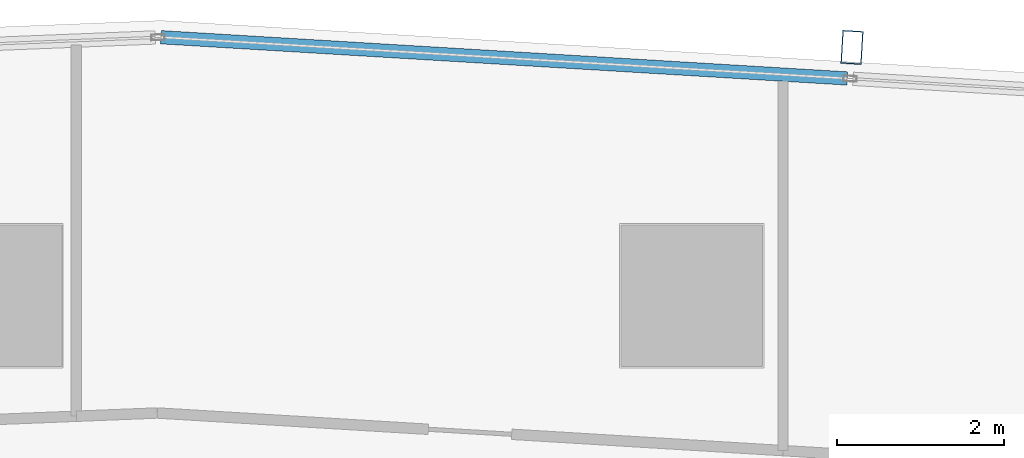
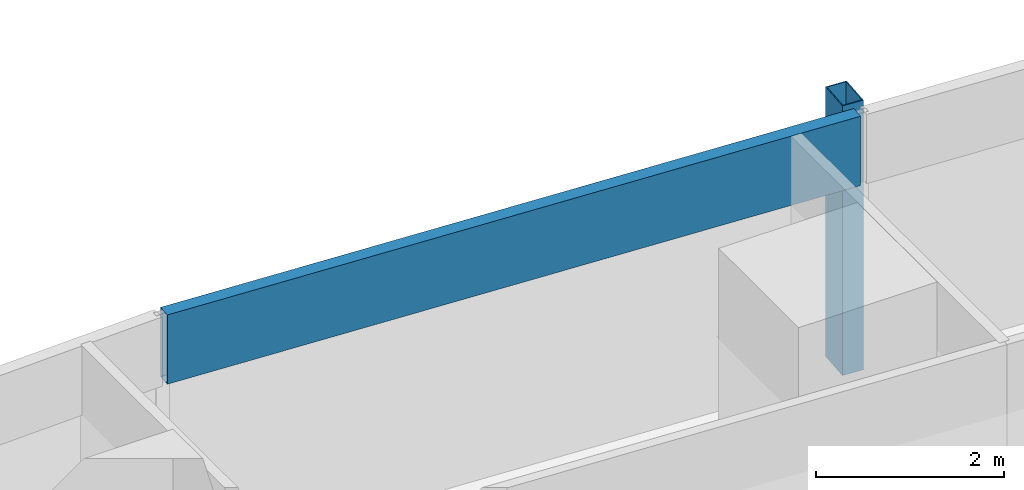
# One storey, part 22 of 40: 2 members, 1 element without a shape of its own.
"""IFC4 building model written with IfcOpenShell, lengths in metres."""

from ifc_helpers import new_model, si_unit, direction, frame, origin, origin_2d, place, context, subcontext, project, spatial, hollow_rectangle, extrude, material, material_profile, profile_set, type_object, element, aggregate, save


model = new_model("IFC4")

# Units and contexts
model_context = context("Model", 3, precision=1e-05, world=origin(), true_north=direction((0.0, 1.0)))
body_context = subcontext(model_context, "Body", "Model", "MODEL_VIEW")
ifc_project = project(units=[si_unit("LENGTHUNIT", "METRE"), si_unit("AREAUNIT", "SQUARE_METRE"), si_unit("VOLUMEUNIT", "CUBIC_METRE"), si_unit("PLANEANGLEUNIT", "RADIAN"), si_unit("MASSUNIT", "GRAM", prefix="KILO")], contexts=[model_context])

# Site, building, storey
site_placement = place(None, origin())
site = spatial("IfcSite", under=ifc_project, at=site_placement, CompositionType="ELEMENT")
building_placement = place(site_placement, origin())
building = spatial("IfcBuilding", under=site, at=building_placement, Name="Rekha Terrace Tower", CompositionType="ELEMENT")
storey_placement = place(building_placement, frame((0.0, 0.0, 106.550048828125)))
storey = spatial("IfcBuildingStorey", under=building, at=storey_placement, Name="L26", CompositionType="ELEMENT", Elevation=106.550048828125)

# Curtain wall, members
ifc_material_1 = material(Name="Aluminium framing", Category="aluminium")
curtain_wall_type = type_object("IfcCurtainWallType", Name="CW3 north unitised glazing", PredefinedType="USERDEFINED", material=ifc_material_1)
curtain_wall_placement = place(storey_placement, origin())
curtain_wall = element("IfcCurtainWall", 1, at=curtain_wall_placement, inside=storey, type_object=curtain_wall_type, Name="CW3 unitised curtain wall", ObjectType="UNITISED CURTAIN WALL", PredefinedType="USERDEFINED")
ifc_material_2 = material(Name="Steel S355 with fluorocarbon finish", Category="steel")
ifc_material_profile_1 = material_profile(ifc_material_2, hollow_rectangle(XDim=0.25, YDim=0.39990234375, WallThickness=0.012451171875, at=origin_2d()), Name="RHS400x250x12.5")
ifc_profile_set_1 = profile_set([ifc_material_profile_1], Name="Steel S355 with fluorocarbon finish")
member_type_1 = type_object("IfcMemberType", Name="BL1 facade blade RHS 400 x 250", PredefinedType="USERDEFINED", material=ifc_profile_set_1)
member_1_placement = place(storey_placement, frame((52.322265625, 61.777587890625, 0.0), z_axis=(0.0, 0.0, 1.0), x_axis=(-0.998199123409, 0.059987582268, 0.0)))
member_1 = element("IfcMember", 2, at=member_1_placement, type_object=member_type_1, Name="Facade blade", ObjectType="FACADE BLADE", PredefinedType="USERDEFINED", context=body_context, shape_type="SweptSolid", body=[
    extrude(hollow_rectangle(XDim=0.25, YDim=0.39990234375, WallThickness=0.012451171875, at=origin_2d()), origin(), (0.0, 0.0, 1.0), 3.5),
])
ifc_material_3 = material(Name="Insulated aluminium spandrel box", Category="aluminium")
ifc_material_profile_2 = material_profile(ifc_material_3, hollow_rectangle(XDim=0.159912109375, YDim=0.89990234375, WallThickness=0.0029296875, at=origin_2d()), Name="AL SPANDREL BOX 160x900")
ifc_profile_set_2 = profile_set([ifc_material_profile_2], Name="Insulated aluminium spandrel box")
member_type_2 = type_object("IfcMemberType", Name="CW3 spandrel transom 160 x 900", PredefinedType="USERDEFINED", material=ifc_profile_set_2)
member_2_placement = place(storey_placement, frame((52.2646484375, 61.4052734375, 3.050048828125), z_axis=(-0.998199102701, 0.059987926845, 0.0), x_axis=(-0.059987926845, -0.998199102701, 0.0)))
member_2 = element("IfcMember", 3, at=member_2_placement, type_object=member_type_2, Name="CW3 spandrel transom 3", ObjectType="TRANSOM", PredefinedType="USERDEFINED", context=body_context, shape_type="SweptSolid", body=[
    extrude(hollow_rectangle(XDim=0.159912109375, YDim=0.89990234375, WallThickness=0.0029296875, at=origin_2d()), origin(), (0.0, 0.0, 1.0), 8.241455078125),
])
aggregate(curtain_wall, [member_2, member_1])

save(model, "model.ifc")
